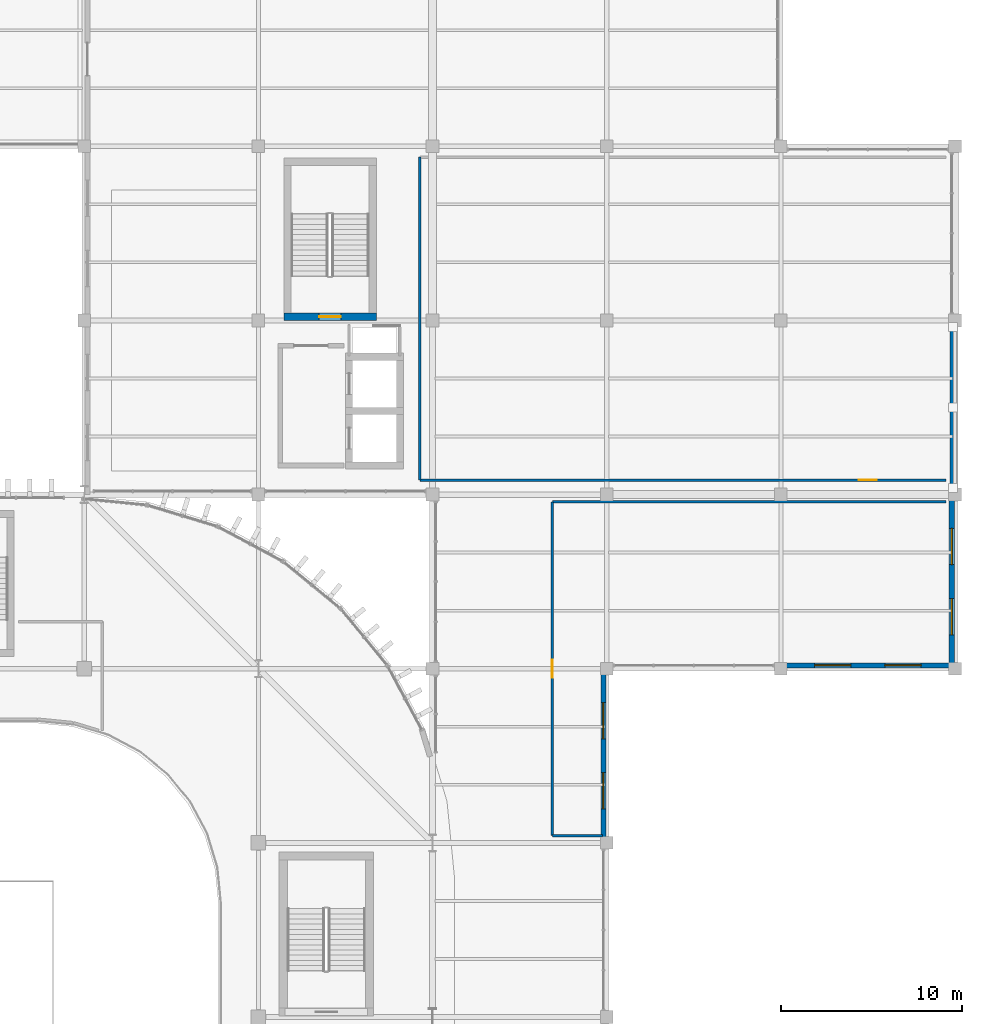
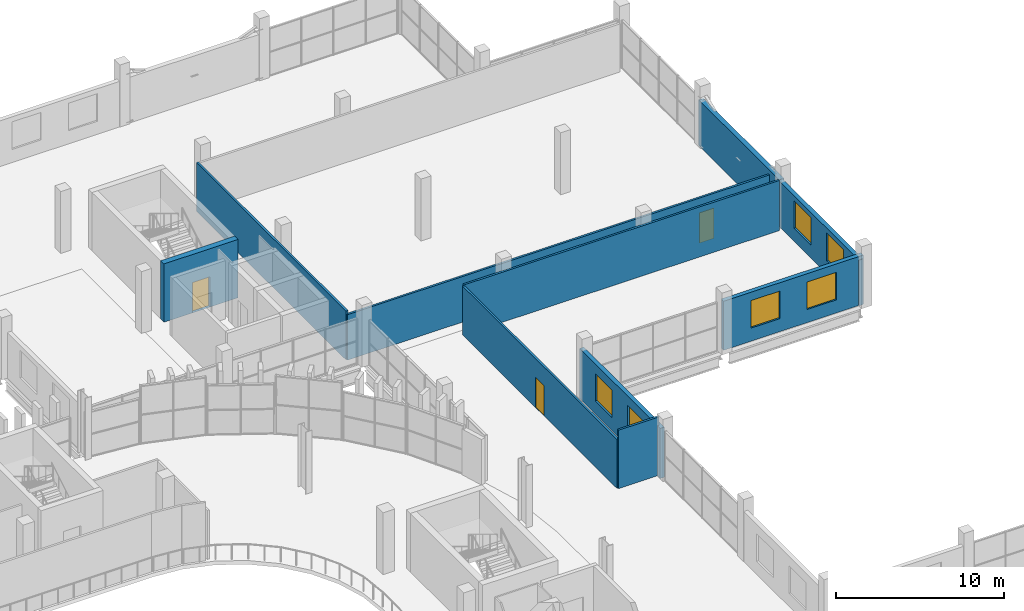
# One storey, part 52 of 75: 10 walls, 6 windows, 3 doors, 9 openings.
"""IFC4 building model written with IfcOpenShell, lengths in metres."""

from ifc_helpers import new_model, si_unit, direction, frame, frame_2d, origin, place, context, subcontext, project, spatial, rectangle, extrude, material, layer, layer_set, type_object, element, fill, save


model = new_model("IFC4")

# Units and contexts
model_context = context("Model", 3, precision=1e-05, world=origin(), true_north=direction((0.0, 1.0)))
body_context = subcontext(model_context, "Body", "Model", "MODEL_VIEW")
ifc_project = project(units=[si_unit("LENGTHUNIT", "METRE"), si_unit("AREAUNIT", "SQUARE_METRE"), si_unit("VOLUMEUNIT", "CUBIC_METRE"), si_unit("PLANEANGLEUNIT", "RADIAN"), si_unit("MASSUNIT", "GRAM", prefix="KILO")], contexts=[model_context])

# Site, building, storey
site_placement = place(None, origin())
site = spatial("IfcSite", under=ifc_project, at=site_placement, CompositionType="ELEMENT")
building_placement = place(site_placement, origin())
building = spatial("IfcBuilding", under=site, at=building_placement, Name="Caelomonte Colonnade Arena", CompositionType="ELEMENT")
storey_placement = place(building_placement, frame((0.0, 0.0, 14.10009765625)))
storey = spatial("IfcBuildingStorey", under=building, at=storey_placement, Name="L03", CompositionType="ELEMENT", Elevation=14.10009765625)

# Wall, openings, windows
ifc_material_1 = material(Name="Precast concrete C40/50", Category="concrete")
ifc_layer_1 = layer(ifc_material_1, 0.2900390625)
ifc_layer_set_1 = layer_set([ifc_layer_1], Name="Precast concrete C40/50")
wall_type_1 = type_object("IfcWallType", Name="ENV-WL-EXT29", PredefinedType="SOLIDWALL", material=ifc_layer_set_1)
wall_1_placement = place(storey_placement, frame((172.6201171875, 96.0, 0.0), z_axis=(0.0, 0.0, 1.0), x_axis=(0.0, 1.0, 0.0)))
wall_1 = element("IfcWall", 1, at=wall_1_placement, inside=storey, type_object=wall_type_1, Name="L03 exterior wall EW-L03-0285", PredefinedType="SOLIDWALL", context=body_context, shape_type="SweptSolid", body=[
    extrude(rectangle(XDim=9.60009765625, YDim=0.2900390625, at=frame_2d((4.800048828125, 0.0))), origin(), (0.0, 0.0, 1.0), 3.637939453125),
])
opening_1_placement = place(wall_1_placement, frame((3.86669921875, 0.0, 0.949951171875), z_axis=(0.0, 0.0, 1.0), x_axis=(-1.0, 0.0, 0.0)))
opening_1 = element("IfcOpeningElement", 2, at=opening_1_placement, cuts=wall_1, Name="Opening WN-06", PredefinedType="OPENING", context=body_context, shape_type="SweptSolid", body=[
    extrude(rectangle(XDim=2.0, YDim=2.0, at=frame_2d((1.0, 1.0))), frame((0.0, 0.155029296875, 0.0), z_axis=(0.0, -1.0, 0.0), x_axis=(1.0, 0.0, 0.0)), (0.0, 0.0, 1.0), 0.31005859375),
])
opening_2_placement = place(wall_1_placement, frame((7.7333984375, 0.0, 0.949951171875), z_axis=(0.0, 0.0, 1.0), x_axis=(-1.0, 0.0, 0.0)))
opening_2 = element("IfcOpeningElement", 3, at=opening_2_placement, cuts=wall_1, Name="Opening WN-06", PredefinedType="OPENING", context=body_context, shape_type="SweptSolid", body=[
    extrude(rectangle(XDim=2.0, YDim=2.0, at=frame_2d((1.0, 1.0))), frame((0.0, 0.155029296875, 0.0), z_axis=(0.0, -1.0, 0.0), x_axis=(1.0, 0.0, 0.0)), (0.0, 0.0, 1.0), 0.31005859375),
])
ifc_material_2 = material(Name="Solar-control bronze low-E double glazing", Category="glass")
window_type = type_object("IfcWindowType", Name="ENV-WN-V4C", PartitioningType="DOUBLE_PANEL_VERTICAL", PredefinedType="WINDOW", material=ifc_material_2)
window_1_placement = place(opening_1_placement, origin())
window_1 = element("IfcWindow", 4, at=window_1_placement, inside=storey, type_object=window_type, Name="L03 facade window 224", OverallHeight=2.0, OverallWidth=2.0, PartitioningType="SINGLE_PANEL", PredefinedType="WINDOW", context=body_context, shape_type="SweptSolid", body=[
    extrude(rectangle(XDim=2.0, YDim=2.0, at=frame_2d((1.0, 1.0))), frame((0.0, 0.030029296875, 0.0), z_axis=(0.0, -1.0, 0.0), x_axis=(1.0, 0.0, 0.0)), (0.0, 0.0, 1.0), 0.06005859375),
])
fill(opening_1, window_1)
window_2_placement = place(opening_2_placement, origin())
window_2 = element("IfcWindow", 5, at=window_2_placement, inside=storey, type_object=window_type, Name="L03 facade window 225", OverallHeight=2.0, OverallWidth=2.0, PartitioningType="SINGLE_PANEL", PredefinedType="WINDOW", context=body_context, shape_type="SweptSolid", body=[
    extrude(rectangle(XDim=2.0, YDim=2.0, at=frame_2d((1.0, 1.0))), frame((0.0, 0.030029296875, 0.0), z_axis=(0.0, -1.0, 0.0), x_axis=(1.0, 0.0, 0.0)), (0.0, 0.0, 1.0), 0.06005859375),
])
fill(opening_2, window_2)

wall_2_placement = place(storey_placement, frame((182.39990234375, 105.780029296875, 0.0), z_axis=(0.0, 0.0, 1.0), x_axis=(1.0, 0.0, 0.0)))
wall_2 = element("IfcWall", 6, at=wall_2_placement, inside=storey, type_object=wall_type_1, Name="L03 exterior wall EW-L03-0286", PredefinedType="SOLIDWALL", context=body_context, shape_type="SweptSolid", body=[
    extrude(rectangle(XDim=9.60009765625, YDim=0.2900390625, at=frame_2d((4.800048828125, 0.0))), origin(), (0.0, 0.0, 1.0), 3.556396484375),
])
opening_3_placement = place(wall_2_placement, frame((3.86669921875, 0.0, 0.949951171875), z_axis=(0.0, 0.0, 1.0), x_axis=(-1.0, 0.0, 0.0)))
opening_3 = element("IfcOpeningElement", 7, at=opening_3_placement, cuts=wall_2, Name="Opening WN-06", PredefinedType="OPENING", context=body_context, shape_type="SweptSolid", body=[
    extrude(rectangle(XDim=2.0, YDim=2.0, at=frame_2d((1.0, 1.0))), frame((0.0, 0.155029296875, 0.0), z_axis=(0.0, -1.0, 0.0), x_axis=(1.0, 0.0, 0.0)), (0.0, 0.0, 1.0), 0.31005859375),
])
opening_4_placement = place(wall_2_placement, frame((7.7333984375, 0.0, 0.949951171875), z_axis=(0.0, 0.0, 1.0), x_axis=(-1.0, 0.0, 0.0)))
opening_4 = element("IfcOpeningElement", 8, at=opening_4_placement, cuts=wall_2, Name="Opening WN-06", PredefinedType="OPENING", context=body_context, shape_type="SweptSolid", body=[
    extrude(rectangle(XDim=2.0, YDim=2.0, at=frame_2d((1.0, 1.0))), frame((0.0, 0.155029296875, 0.0), z_axis=(0.0, -1.0, 0.0), x_axis=(1.0, 0.0, 0.0)), (0.0, 0.0, 1.0), 0.31005859375),
])
window_3_placement = place(opening_3_placement, origin())
window_3 = element("IfcWindow", 9, at=window_3_placement, inside=storey, type_object=window_type, Name="L03 facade window 226", OverallHeight=2.0, OverallWidth=2.0, PartitioningType="SINGLE_PANEL", PredefinedType="WINDOW", context=body_context, shape_type="SweptSolid", body=[
    extrude(rectangle(XDim=2.0, YDim=2.0, at=frame_2d((1.0, 1.0))), frame((0.0, 0.030029296875, 0.0), z_axis=(0.0, -1.0, 0.0), x_axis=(1.0, 0.0, 0.0)), (0.0, 0.0, 1.0), 0.06005859375),
])
fill(opening_3, window_3)
window_4_placement = place(opening_4_placement, origin())
window_4 = element("IfcWindow", 10, at=window_4_placement, inside=storey, type_object=window_type, Name="L03 facade window 227", OverallHeight=2.0, OverallWidth=2.0, PartitioningType="SINGLE_PANEL", PredefinedType="WINDOW", context=body_context, shape_type="SweptSolid", body=[
    extrude(rectangle(XDim=2.0, YDim=2.0, at=frame_2d((1.0, 1.0))), frame((0.0, 0.030029296875, 0.0), z_axis=(0.0, -1.0, 0.0), x_axis=(1.0, 0.0, 0.0)), (0.0, 0.0, 1.0), 0.06005859375),
])
fill(opening_4, window_4)

wall_3_placement = place(storey_placement, frame((191.820068359375, 105.60009765625, 0.0), z_axis=(0.0, 0.0, 1.0), x_axis=(0.0, 1.0, 0.0)))
wall_3 = element("IfcWall", 11, at=wall_3_placement, inside=storey, type_object=wall_type_1, Name="L03 exterior wall EW-L03-0287", PredefinedType="SOLIDWALL", context=body_context, shape_type="SweptSolid", body=[
    extrude(rectangle(XDim=9.599853515625, YDim=0.2900390625, at=frame_2d((4.7998046875, 0.0))), origin(), (0.0, 0.0, 1.0), 3.312744140625),
])
opening_5_placement = place(wall_3_placement, frame((3.86669921875, 0.0, 0.949951171875), z_axis=(0.0, 0.0, 1.0), x_axis=(-1.0, 0.0, 0.0)))
opening_5 = element("IfcOpeningElement", 12, at=opening_5_placement, cuts=wall_3, Name="Opening WN-06", PredefinedType="OPENING", context=body_context, shape_type="SweptSolid", body=[
    extrude(rectangle(XDim=2.0, YDim=2.0, at=frame_2d((1.0, 1.0))), frame((0.0, 0.155029296875, 0.0), z_axis=(0.0, -1.0, 0.0), x_axis=(1.0, 0.0, 0.0)), (0.0, 0.0, 1.0), 0.31005859375),
])
opening_6_placement = place(wall_3_placement, frame((7.7333984375, 0.0, 0.949951171875), z_axis=(0.0, 0.0, 1.0), x_axis=(-1.0, 0.0, 0.0)))
opening_6 = element("IfcOpeningElement", 13, at=opening_6_placement, cuts=wall_3, Name="Opening WN-06", PredefinedType="OPENING", context=body_context, shape_type="SweptSolid", body=[
    extrude(rectangle(XDim=2.0, YDim=2.0, at=frame_2d((1.0, 1.0))), frame((0.0, 0.155029296875, 0.0), z_axis=(0.0, -1.0, 0.0), x_axis=(1.0, 0.0, 0.0)), (0.0, 0.0, 1.0), 0.31005859375),
])
window_5_placement = place(opening_5_placement, origin())
window_5 = element("IfcWindow", 14, at=window_5_placement, inside=storey, type_object=window_type, Name="L03 facade window 228", OverallHeight=2.0, OverallWidth=2.0, PartitioningType="SINGLE_PANEL", PredefinedType="WINDOW", context=body_context, shape_type="SweptSolid", body=[
    extrude(rectangle(XDim=2.0, YDim=2.0, at=frame_2d((1.0, 1.0))), frame((0.0, 0.030029296875, 0.0), z_axis=(0.0, -1.0, 0.0), x_axis=(1.0, 0.0, 0.0)), (0.0, 0.0, 1.0), 0.06005859375),
])
fill(opening_5, window_5)
window_6_placement = place(opening_6_placement, origin())
window_6 = element("IfcWindow", 15, at=window_6_placement, inside=storey, type_object=window_type, Name="L03 facade window 229", OverallHeight=2.0, OverallWidth=2.0, PartitioningType="SINGLE_PANEL", PredefinedType="WINDOW", context=body_context, shape_type="SweptSolid", body=[
    extrude(rectangle(XDim=2.0, YDim=2.0, at=frame_2d((1.0, 1.0))), frame((0.0, 0.030029296875, 0.0), z_axis=(0.0, -1.0, 0.0), x_axis=(1.0, 0.0, 0.0)), (0.0, 0.0, 1.0), 0.06005859375),
])
fill(opening_6, window_6)

# Wall
ifc_layer_2 = layer(ifc_material_1, 0.330078125)
ifc_layer_set_2 = layer_set([ifc_layer_2], Name="Precast concrete C40/50")
wall_type_2 = type_object("IfcWallType", Name="ENV-WL-EXT33", PredefinedType="SOLIDWALL", material=ifc_layer_set_2)
wall_4_placement = place(storey_placement, frame((191.89990234375, 115.199951171875, 0.0), z_axis=(0.0, 0.0, 1.0), x_axis=(0.0, 1.0, 0.0)))
element("IfcWall", 16, at=wall_4_placement, inside=storey, type_object=wall_type_2, Name="L03 exterior wall EW-L03-0288", PredefinedType="SOLIDWALL", context=body_context, shape_type="SweptSolid", body=[
    extrude(rectangle(XDim=9.60009765625, YDim=0.330078125, at=frame_2d((4.800048828125, 0.0))), origin(), (0.0, 0.0, 1.0), 3.312744140625),
])

# Wall, opening, door
ifc_material_3 = material(Name="Suite demising stud partition")
ifc_layer_3 = layer(ifc_material_3, 0.139892578125)
ifc_layer_set_3 = layer_set([ifc_layer_3], Name="Suite demising stud partition")
wall_type_3 = type_object("IfcWallType", Name="INT-WL-PT14", PredefinedType="PARTITIONING", material=ifc_layer_set_3)
wall_5_placement = place(storey_placement, frame((191.5, 116.0, 0.0), z_axis=(0.0, 0.0, 1.0), x_axis=(-1.0, 0.0, 0.0)))
wall_5 = element("IfcWall", 17, at=wall_5_placement, inside=storey, type_object=wall_type_3, Name="L03 Courtyard Party Suite partition 232", PredefinedType="PARTITIONING", context=body_context, shape_type="SweptSolid", body=[
    extrude(rectangle(XDim=29.0, YDim=0.139892578125, at=frame_2d((14.5, 0.0))), origin(), (0.0, 0.0, 1.0), 3.312744140625),
])
opening_7_placement = place(wall_5_placement, frame((3.800048828125, 0.0, 0.0), z_axis=(0.0, 0.0, 1.0), x_axis=(1.0, 0.0, 0.0)))
opening_7 = element("IfcOpeningElement", 18, at=opening_7_placement, cuts=wall_5, Name="Opening D-L03-062", PredefinedType="OPENING", context=body_context, shape_type="SweptSolid", body=[
    extrude(rectangle(XDim=1.0, YDim=2.199951171875, at=frame_2d((0.5, 1.10009765625))), frame((0.0, 0.079833984375, 0.0), z_axis=(0.0, -1.0, 0.0), x_axis=(1.0, 0.0, 0.0)), (0.0, 0.0, 1.0), 0.159912109375),
])
ifc_material_4 = material(Name="Hardwood veneer acoustic suite door", Category="wood")
door_type_1 = type_object("IfcDoorType", Name="INT-DR-SU1", OperationType="NOTDEFINED", PredefinedType="DOOR", material=ifc_material_4)
door_1_placement = place(opening_7_placement, origin())
door_1 = element("IfcDoor", 19, at=door_1_placement, inside=storey, type_object=door_type_1, Name="L03 Courtyard Party Suite door D-L03-062", OperationType="SINGLE_SWING_LEFT", OverallHeight=2.199951171875, OverallWidth=1.0, PredefinedType="DOOR", context=body_context, shape_type="SweptSolid", body=[
    extrude(rectangle(XDim=1.0, YDim=2.199951171875, at=frame_2d((0.5, 1.10009765625))), frame((0.0, 0.02490234375, 0.0), z_axis=(0.0, -1.0, 0.0), x_axis=(1.0, 0.0, 0.0)), (0.0, 0.0, 1.0), 0.050048828125),
])
fill(opening_7, door_1)

# Walls
wall_6_placement = place(storey_placement, frame((162.5, 116.0, 0.0), z_axis=(0.0, 0.0, 1.0), x_axis=(0.0, 1.0, 0.0)))
element("IfcWall", 20, at=wall_6_placement, inside=storey, type_object=wall_type_3, Name="L03 Courtyard Party Suite partition 233", PredefinedType="PARTITIONING", context=body_context, shape_type="SweptSolid", body=[
    extrude(rectangle(XDim=17.800048828125, YDim=0.139892578125, at=frame_2d((8.89990234375, 0.0))), origin(), (0.0, 0.0, 1.0), 3.556396484375),
])
wall_7_placement = place(storey_placement, frame((172.580078125, 96.39990234375, 0.0), z_axis=(0.0, 0.0, 1.0), x_axis=(-1.0, 0.0, 0.0)))
element("IfcWall", 21, at=wall_7_placement, inside=storey, type_object=wall_type_3, Name="L03 Suite Catering Pantry partition 238", PredefinedType="PARTITIONING", context=body_context, shape_type="SweptSolid", body=[
    extrude(rectangle(XDim=2.780029296875, YDim=0.139892578125, at=frame_2d((1.39013671875, 0.0))), origin(), (0.0, 0.0, 1.0), 4.239990234375),
])

# Wall, opening, door
wall_8_placement = place(storey_placement, frame((169.800048828125, 96.39990234375, 0.0), z_axis=(0.0, 0.0, 1.0), x_axis=(0.0, 1.0, 0.0)))
wall_8 = element("IfcWall", 22, at=wall_8_placement, inside=storey, type_object=wall_type_3, Name="L03 Suite Catering Pantry partition 239", PredefinedType="PARTITIONING", context=body_context, shape_type="SweptSolid", body=[
    extrude(rectangle(XDim=18.400146484375, YDim=0.139892578125, at=frame_2d((9.2001953125, 0.0))), origin(), (0.0, 0.0, 1.0), 3.556396484375),
])
opening_8_placement = place(wall_8_placement, frame((8.699951171875, 0.0, 0.0), z_axis=(0.0, 0.0, 1.0), x_axis=(1.0, 0.0, 0.0)))
opening_8 = element("IfcOpeningElement", 23, at=opening_8_placement, cuts=wall_8, Name="Opening D-L03-065", PredefinedType="OPENING", context=body_context, shape_type="SweptSolid", body=[
    extrude(rectangle(XDim=1.0, YDim=2.199951171875, at=frame_2d((0.5, 1.10009765625))), frame((0.0, 0.079833984375, 0.0), z_axis=(0.0, -1.0, 0.0), x_axis=(1.0, 0.0, 0.0)), (0.0, 0.0, 1.0), 0.159912109375),
])
door_2_placement = place(opening_8_placement, origin())
door_2 = element("IfcDoor", 24, at=door_2_placement, inside=storey, type_object=door_type_1, Name="L03 Suite Catering Pantry door D-L03-065", OperationType="SINGLE_SWING_RIGHT", OverallHeight=2.199951171875, OverallWidth=1.0, PredefinedType="DOOR", context=body_context, shape_type="SweptSolid", body=[
    extrude(rectangle(XDim=1.0, YDim=2.199951171875, at=frame_2d((0.5, 1.10009765625))), frame((0.0, 0.02490234375, 0.0), z_axis=(0.0, -1.0, 0.0), x_axis=(1.0, 0.0, 0.0)), (0.0, 0.0, 1.0), 0.050048828125),
])
fill(opening_8, door_2)

# Wall
wall_9_placement = place(storey_placement, frame((169.800048828125, 114.800048828125, 0.0), z_axis=(0.0, 0.0, 1.0), x_axis=(1.0, 0.0, 0.0)))
element("IfcWall", 25, at=wall_9_placement, inside=storey, type_object=wall_type_3, Name="L03 Suite Catering Pantry partition 240", PredefinedType="PARTITIONING", context=body_context, shape_type="SweptSolid", body=[
    extrude(rectangle(XDim=21.699951171875, YDim=0.139892578125, at=frame_2d((10.85009765625, 0.0))), origin(), (0.0, 0.0, 1.0), 3.637939453125),
])

# Wall, opening, door
ifc_material_5 = material(Name="Concrete C50/60", Category="concrete")
ifc_layer_4 = layer(ifc_material_5, 0.39990234375)
ifc_layer_set_4 = layer_set([ifc_layer_4], Name="Concrete C50/60")
wall_type_4 = type_object("IfcWallType", Name="INT-WL-SH40", PredefinedType="SHEAR", material=ifc_layer_set_4)
wall_10_placement = place(storey_placement, frame((155.0, 125.0, 0.0), z_axis=(0.0, 0.0, 1.0), x_axis=(1.0, 0.0, 0.0)))
wall_10 = element("IfcWall", 26, at=wall_10_placement, inside=storey, type_object=wall_type_4, Name="CW-C6-ST L03 south enclosure wall", PredefinedType="SHEAR", context=body_context, shape_type="SweptSolid", body=[
    extrude(rectangle(XDim=5.10009765625, YDim=0.39990234375, at=frame_2d((2.550048828125, 0.0))), origin(), (0.0, 0.0, 1.0), 4.239990234375),
])
opening_9_placement = place(wall_10_placement, frame((3.14990234375, 0.0, 0.0), z_axis=(0.0, 0.0, 1.0), x_axis=(-1.0, 0.0, 0.0)))
opening_9 = element("IfcOpeningElement", 27, at=opening_9_placement, cuts=wall_10, Name="Opening FD-1", PredefinedType="OPENING", context=body_context, shape_type="SweptSolid", body=[
    extrude(rectangle(XDim=1.199951171875, YDim=2.199951171875, at=frame_2d((0.60009765625, 1.10009765625))), frame((0.0, 0.2099609375, 0.0), z_axis=(0.0, -1.0, 0.0), x_axis=(1.0, 0.0, 0.0)), (0.0, 0.0, 1.0), 0.419921875),
])
ifc_material_6 = material(Name="Fire-rated steel door", Category="steel")
door_type_2 = type_object("IfcDoorType", Name="INT-DR-FD90A", OperationType="NOTDEFINED", PredefinedType="DOOR", material=ifc_material_6)
door_3_placement = place(opening_9_placement, origin())
door_3 = element("IfcDoor", 28, at=door_3_placement, inside=storey, type_object=door_type_2, Name="Core C6 L03 exit stair fire door", OperationType="SINGLE_SWING_RIGHT", OverallHeight=2.199951171875, OverallWidth=1.199951171875, PredefinedType="DOOR", context=body_context, shape_type="SweptSolid", body=[
    extrude(rectangle(XDim=1.199951171875, YDim=2.199951171875, at=frame_2d((0.60009765625, 1.10009765625))), frame((0.0, 0.02490234375, 0.0), z_axis=(0.0, -1.0, 0.0), x_axis=(1.0, 0.0, 0.0)), (0.0, 0.0, 1.0), 0.050048828125),
])
fill(opening_9, door_3)

save(model, "model.ifc")
